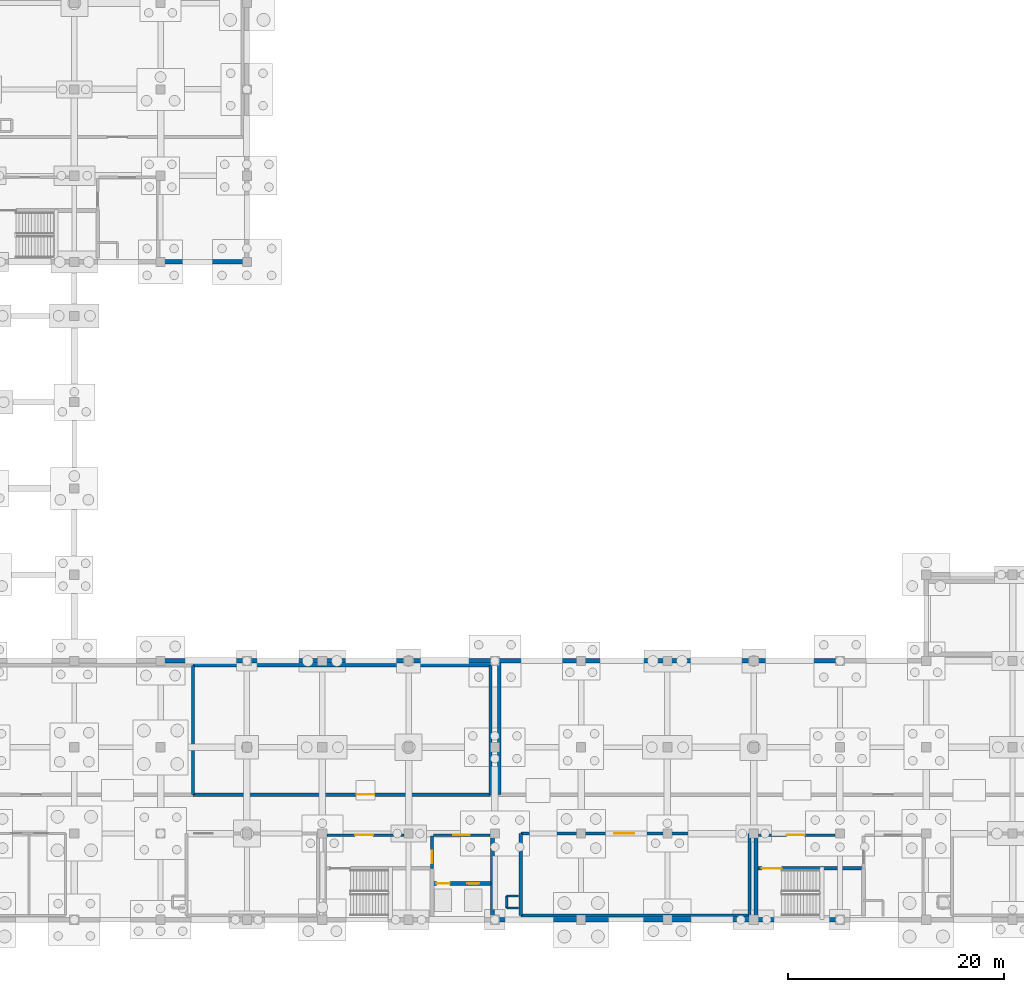
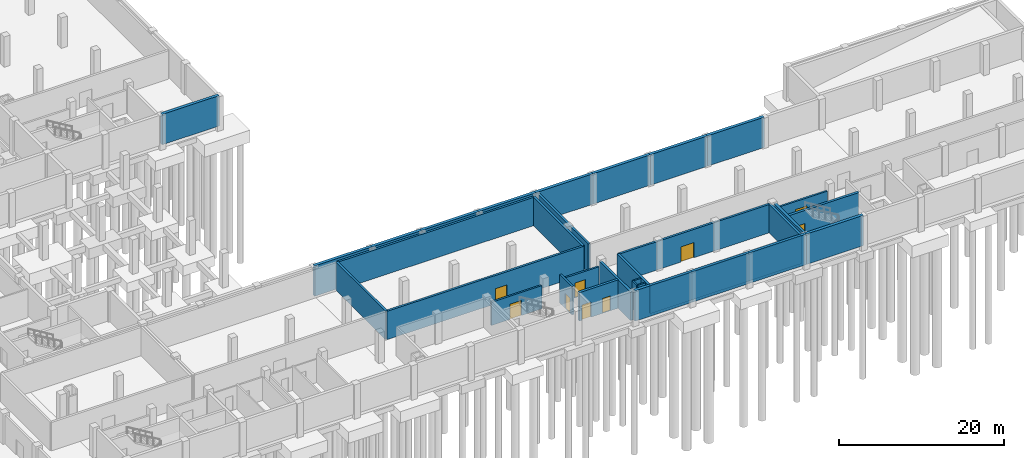
# One storey, part 15 of 26: 33 walls, 9 doors, 9 openings.
"""IFC4 building model written with IfcOpenShell, lengths in metres."""

from ifc_helpers import new_model, si_unit, direction, frame, frame_2d, origin, place, context, subcontext, project, spatial, rectangle, extrude, material, layer, layer_set, type_object, element, fill, save


model = new_model("IFC4")

# Units and contexts
model_context = context("Model", 3, precision=1e-05, world=origin(), true_north=direction((0.0, 1.0)))
body_context = subcontext(model_context, "Body", "Model", "MODEL_VIEW")
ifc_project = project(units=[si_unit("LENGTHUNIT", "METRE"), si_unit("AREAUNIT", "SQUARE_METRE"), si_unit("VOLUMEUNIT", "CUBIC_METRE"), si_unit("PLANEANGLEUNIT", "RADIAN"), si_unit("MASSUNIT", "GRAM", prefix="KILO")], contexts=[model_context])

# Site, building, storey
site_placement = place(None, origin())
site = spatial("IfcSite", under=ifc_project, at=site_placement, CompositionType="ELEMENT")
building_placement = place(site_placement, origin())
building = spatial("IfcBuilding", under=site, at=building_placement, Name="Qorikala Patio Media Centre", CompositionType="ELEMENT")
storey_placement = place(building_placement, frame((0.0, 0.0, -4.5)))
storey = spatial("IfcBuildingStorey", under=building, at=storey_placement, Name="B1", CompositionType="ELEMENT", Elevation=-4.5)

# Wall
ifc_material_1 = material(Name="Concrete C35/45", Category="concrete")
ifc_layer_1 = layer(ifc_material_1, 0.300048828125)
ifc_layer_set_1 = layer_set([ifc_layer_1], Name="Concrete C35/45")
wall_type_1 = type_object("IfcWallType", Name="WL-AC-300", PredefinedType="SHEAR", material=ifc_layer_set_1)
wall_1_placement = place(storey_placement, frame((70.0, 14.60009765625, 0.0), z_axis=(0.0, 0.0, 1.0), x_axis=(0.0, 1.0, 0.0)))
element("IfcWall", 1, at=wall_1_placement, inside=storey, type_object=wall_type_1, Name="B1 Interior Wall WINT-B1-VLT3-E", PredefinedType="SHEAR", context=body_context, shape_type="SweptSolid", body=[
    extrude(rectangle(XDim=12.0, YDim=0.300048828125, at=frame_2d((6.0, 0.0))), origin(), (0.0, 0.0, 1.0), 4.199951171875),
])

# Wall, opening, door
wall_2_placement = place(storey_placement, frame((70.0, 14.60009765625, 0.0), z_axis=(0.0, 0.0, 1.0), x_axis=(1.0, 0.0, 0.0)))
wall_2 = element("IfcWall", 2, at=wall_2_placement, inside=storey, type_object=wall_type_1, Name="B1 Interior Wall WINT-B1-PLT1-S", PredefinedType="SHEAR", context=body_context, shape_type="SweptSolid", body=[
    extrude(rectangle(XDim=27.60009765625, YDim=0.300048828125, at=frame_2d((13.800048828125, 0.0))), origin(), (0.0, 0.0, 1.0), 4.199951171875),
])
opening_1_placement = place(wall_2_placement, frame((15.178955078125, 0.0, 0.0)))
opening_1 = element("IfcOpeningElement", 3, at=opening_1_placement, cuts=wall_2, Name="Opening D215", PredefinedType="OPENING", context=body_context, shape_type="SweptSolid", body=[
    extrude(rectangle(XDim=1.64990234375, YDim=2.25, at=frame_2d((0.824951171875, 1.125))), frame((0.0, 0.159912109375, 0.0), z_axis=(0.0, -1.0, 0.0), x_axis=(1.0, 0.0, 0.0)), (0.0, 0.0, 1.0), 0.320068359375),
])
ifc_material_2 = material(Name="Powder-Coated Acoustic Fire Steel", Category="steel")
door_type_1 = type_object("IfcDoorType", Name="DR-FD60-165X225", OperationType="DOUBLE_DOOR_SINGLE_SWING", PredefinedType="DOOR", material=ifc_material_2)
door_1_placement = place(opening_1_placement, origin())
door_1 = element("IfcDoor", 4, at=door_1_placement, inside=storey, type_object=door_type_1, Name="Archive Desiccant and Chiller Plant Room Door 004", OperationType="DOUBLE_DOOR_SINGLE_SWING", OverallHeight=2.25, OverallWidth=1.64990234375, PredefinedType="DOOR", context=body_context, shape_type="SweptSolid", body=[
    extrude(rectangle(XDim=1.64990234375, YDim=2.25, at=frame_2d((0.824951171875, 1.125))), frame((0.0, 0.02490234375, 0.0), z_axis=(0.0, -1.0, 0.0), x_axis=(1.0, 0.0, 0.0)), (0.0, 0.0, 1.0), 0.050048828125),
])
fill(opening_1, door_1)

# Walls
wall_3_placement = place(storey_placement, frame((97.60009765625, 14.60009765625, 0.0), z_axis=(0.0, 0.0, 1.0), x_axis=(0.0, 1.0, 0.0)))
element("IfcWall", 5, at=wall_3_placement, inside=storey, type_object=wall_type_1, Name="B1 Interior Wall WINT-B1-PLT1-E", PredefinedType="SHEAR", context=body_context, shape_type="SweptSolid", body=[
    extrude(rectangle(XDim=12.0, YDim=0.300048828125, at=frame_2d((6.0, 0.0))), origin(), (0.0, 0.0, 1.0), 4.199951171875),
])
wall_4_placement = place(storey_placement, frame((70.0, 26.60009765625, 0.0), z_axis=(0.0, 0.0, 1.0), x_axis=(1.0, 0.0, 0.0)))
element("IfcWall", 6, at=wall_4_placement, inside=storey, type_object=wall_type_1, Name="B1 Interior Wall WINT-B1-PLT1-N", PredefinedType="SHEAR", context=body_context, shape_type="SweptSolid", body=[
    extrude(rectangle(XDim=27.60009765625, YDim=0.300048828125, at=frame_2d((13.800048828125, 0.0))), origin(), (0.0, 0.0, 1.0), 4.199951171875),
])
wall_5_placement = place(storey_placement, frame((100.39990234375, 3.39990234375, 0.0), z_axis=(0.0, 0.0, 1.0), x_axis=(1.0, 0.0, 0.0)))
element("IfcWall", 7, at=wall_5_placement, inside=storey, type_object=wall_type_1, Name="B1 Interior Wall WINT-B1-PWR1-S", PredefinedType="SHEAR", context=body_context, shape_type="SweptSolid", body=[
    extrude(rectangle(XDim=21.2001953125, YDim=0.300048828125, at=frame_2d((10.60009765625, 0.0))), origin(), (0.0, 0.0, 1.0), 4.199951171875),
])
wall_6_placement = place(storey_placement, frame((121.60009765625, 3.39990234375, 0.0), z_axis=(0.0, 0.0, 1.0), x_axis=(0.0, 1.0, 0.0)))
element("IfcWall", 8, at=wall_6_placement, inside=storey, type_object=wall_type_1, Name="B1 Interior Wall WINT-B1-PWR1-E", PredefinedType="SHEAR", context=body_context, shape_type="SweptSolid", body=[
    extrude(rectangle(XDim=7.60009765625, YDim=0.300048828125, at=frame_2d((3.800048828125, 0.0))), origin(), (0.0, 0.0, 1.0), 4.199951171875),
])

# Wall, opening, door
wall_7_placement = place(storey_placement, frame((100.39990234375, 11.0, 0.0), z_axis=(0.0, 0.0, 1.0), x_axis=(1.0, 0.0, 0.0)))
wall_7 = element("IfcWall", 9, at=wall_7_placement, inside=storey, type_object=wall_type_1, Name="B1 Interior Wall WINT-B1-PWR1-N", PredefinedType="SHEAR", context=body_context, shape_type="SweptSolid", body=[
    extrude(rectangle(XDim=21.2001953125, YDim=0.300048828125, at=frame_2d((10.60009765625, 0.0))), origin(), (0.0, 0.0, 1.0), 4.199951171875),
])
opening_2_placement = place(wall_7_placement, frame((8.672119140625, 0.0, 0.0)))
opening_2 = element("IfcOpeningElement", 10, at=opening_2_placement, cuts=wall_7, Name="Opening D225", PredefinedType="OPENING", context=body_context, shape_type="SweptSolid", body=[
    extrude(rectangle(XDim=1.85009765625, YDim=2.25, at=frame_2d((0.925048828125, 1.125))), frame((0.0, 0.159912109375, 0.0), z_axis=(0.0, -1.0, 0.0), x_axis=(1.0, 0.0, 0.0)), (0.0, 0.0, 1.0), 0.320068359375),
])
door_type_2 = type_object("IfcDoorType", Name="DR-FD60-185X225", OperationType="DOUBLE_DOOR_SINGLE_SWING", PredefinedType="DOOR", material=ifc_material_2)
door_2_placement = place(opening_2_placement, origin())
door_2 = element("IfcDoor", 11, at=door_2_placement, inside=storey, type_object=door_type_2, Name="Standby Power Hall Door 014", OperationType="DOUBLE_DOOR_SINGLE_SWING", OverallHeight=2.25, OverallWidth=1.85009765625, PredefinedType="DOOR", context=body_context, shape_type="SweptSolid", body=[
    extrude(rectangle(XDim=1.85009765625, YDim=2.25, at=frame_2d((0.925048828125, 1.125))), frame((0.0, 0.02490234375, 0.0), z_axis=(0.0, -1.0, 0.0), x_axis=(1.0, 0.0, 0.0)), (0.0, 0.0, 1.0), 0.050048828125),
])
fill(opening_2, door_2)

# Walls
wall_8_placement = place(storey_placement, frame((100.39990234375, 3.39990234375, 0.0), z_axis=(0.0, 0.0, 1.0), x_axis=(0.0, 1.0, 0.0)))
element("IfcWall", 12, at=wall_8_placement, inside=storey, type_object=wall_type_1, Name="B1 Interior Wall WINT-B1-PWR1-W", PredefinedType="SHEAR", context=body_context, shape_type="SweptSolid", body=[
    extrude(rectangle(XDim=7.60009765625, YDim=0.300048828125, at=frame_2d((3.800048828125, 0.0))), origin(), (0.0, 0.0, 1.0), 4.199951171875),
])
wall_9_placement = place(storey_placement, frame((98.39990234375, 14.60009765625, 0.0), z_axis=(0.0, 0.0, 1.0), x_axis=(0.0, 1.0, 0.0)))
element("IfcWall", 13, at=wall_9_placement, inside=storey, type_object=wall_type_1, Name="B1 Interior Wall WINT-B1-CPK-W", PredefinedType="SHEAR", context=body_context, shape_type="SweptSolid", body=[
    extrude(rectangle(XDim=12.599853515625, YDim=0.300048828125, at=frame_2d((6.2998046875, 0.0))), origin(), (0.0, 0.0, 1.0), 4.199951171875),
])
ifc_layer_2 = layer(ifc_material_1, 0.35009765625)
ifc_layer_set_2 = layer_set([ifc_layer_2], Name="Concrete C35/45")
wall_type_2 = type_object("IfcWallType", Name="WL-CORE-350", PredefinedType="SHEAR", material=ifc_layer_set_2)
wall_10_placement = place(storey_placement, frame((97.77490234375, 3.199951171875, 0.0), z_axis=(0.0, 0.0, 1.0), x_axis=(0.0, 1.0, 0.0)))
element("IfcWall", 14, at=wall_10_placement, inside=storey, type_object=wall_type_2, Name="B1 Interior Wall CW-B1-C4-EE", PredefinedType="SHEAR", context=body_context, shape_type="SweptSolid", body=[
    extrude(rectangle(XDim=7.60009765625, YDim=0.35009765625, at=frame_2d((3.800048828125, 0.0))), origin(), (0.0, 0.0, 1.0), 4.199951171875),
])

# Wall, openings, doors
wall_11_placement = place(storey_placement, frame((92.175048828125, 6.375, 0.0), z_axis=(0.0, 0.0, 1.0), x_axis=(1.0, 0.0, 0.0)))
wall_11 = element("IfcWall", 15, at=wall_11_placement, inside=storey, type_object=wall_type_2, Name="B1 Interior Wall CW-B1-C4-LFN", PredefinedType="SHEAR", context=body_context, shape_type="SweptSolid", body=[
    extrude(rectangle(XDim=5.474853515625, YDim=0.35009765625, at=frame_2d((2.7373046875, 0.0))), origin(), (0.0, 0.0, 1.0), 4.199951171875),
])
opening_3_placement = place(wall_11_placement, frame((0.39990234375, 0.0, 0.0)))
opening_3 = element("IfcOpeningElement", 16, at=opening_3_placement, cuts=wall_11, Name="Opening LD29", PredefinedType="OPENING", context=body_context, shape_type="SweptSolid", body=[
    extrude(rectangle(XDim=1.25, YDim=2.25, at=frame_2d((0.625, 1.125))), frame((0.0, 0.18505859375, 0.0), z_axis=(0.0, -1.0, 0.0), x_axis=(1.0, 0.0, 0.0)), (0.0, 0.0, 1.0), 0.3701171875),
])
opening_4_placement = place(wall_11_placement, frame((3.27490234375, 0.0, 0.0)))
opening_4 = element("IfcOpeningElement", 17, at=opening_4_placement, cuts=wall_11, Name="Opening LD30", PredefinedType="OPENING", context=body_context, shape_type="SweptSolid", body=[
    extrude(rectangle(XDim=1.10009765625, YDim=2.199951171875, at=frame_2d((0.550048828125, 1.10009765625))), frame((0.0, 0.18505859375, 0.0), z_axis=(0.0, -1.0, 0.0), x_axis=(1.0, 0.0, 0.0)), (0.0, 0.0, 1.0), 0.3701171875),
])
ifc_material_3 = material(Name="Brushed Bronze Stainless Steel", Category="steel")
door_type_3 = type_object("IfcDoorType", Name="DR-LD-110X220", OperationType="DOUBLE_DOOR_SLIDING", PredefinedType="DOOR", material=ifc_material_3)
door_3_placement = place(opening_4_placement, origin())
door_3 = element("IfcDoor", 18, at=door_3_placement, inside=storey, type_object=door_type_3, Name="B1 Lift LP-02 Sliding Landing Door", OperationType="DOUBLE_DOOR_SLIDING", OverallHeight=2.199951171875, OverallWidth=1.10009765625, PredefinedType="DOOR", context=body_context, shape_type="SweptSolid", body=[
    extrude(rectangle(XDim=1.10009765625, YDim=2.199951171875, at=frame_2d((0.550048828125, 1.10009765625))), frame((0.0, 0.02490234375, 0.0), z_axis=(0.0, -1.0, 0.0), x_axis=(1.0, 0.0, 0.0)), (0.0, 0.0, 1.0), 0.050048828125),
])
fill(opening_4, door_3)
door_type_4 = type_object("IfcDoorType", Name="DR-LD-125X225", OperationType="DOUBLE_DOOR_SLIDING", PredefinedType="DOOR", material=ifc_material_3)
door_4_placement = place(opening_3_placement, origin())
door_4 = element("IfcDoor", 19, at=door_4_placement, inside=storey, type_object=door_type_4, Name="B1 Lift LP-01 Sliding Landing Door", OperationType="DOUBLE_DOOR_SLIDING", OverallHeight=2.25, OverallWidth=1.25, PredefinedType="DOOR", context=body_context, shape_type="SweptSolid", body=[
    extrude(rectangle(XDim=1.25, YDim=2.25, at=frame_2d((0.625, 1.125))), frame((0.0, 0.02490234375, 0.0), z_axis=(0.0, -1.0, 0.0), x_axis=(1.0, 0.0, 0.0)), (0.0, 0.0, 1.0), 0.050048828125),
])
fill(opening_3, door_4)

# Wall
wall_12_placement = place(storey_placement, frame((122.22509765625, 3.199951171875, 0.0), z_axis=(0.0, 0.0, 1.0), x_axis=(0.0, 1.0, 0.0)))
element("IfcWall", 20, at=wall_12_placement, inside=storey, type_object=wall_type_2, Name="B1 Interior Wall CW-B1-C7-SW", PredefinedType="SHEAR", context=body_context, shape_type="SweptSolid", body=[
    extrude(rectangle(XDim=7.60009765625, YDim=0.35009765625, at=frame_2d((3.800048828125, 0.0))), origin(), (0.0, 0.0, 1.0), 4.199951171875),
])

# Wall, opening, door
wall_13_placement = place(storey_placement, frame((122.35009765625, 7.77490234375, 0.0), z_axis=(0.0, 0.0, 1.0), x_axis=(1.0, 0.0, 0.0)))
wall_13 = element("IfcWall", 21, at=wall_13_placement, inside=storey, type_object=wall_type_2, Name="B1 Interior Wall CW-B1-C7-SN", PredefinedType="SHEAR", context=body_context, shape_type="SweptSolid", body=[
    extrude(rectangle(XDim=9.824951171875, YDim=0.35009765625, at=frame_2d((4.91259765625, 0.0))), origin(), (0.0, 0.0, 1.0), 4.199951171875),
])
opening_5_placement = place(wall_13_placement, frame((0.39990234375, 0.0, 0.0)))
opening_5 = element("IfcOpeningElement", 22, at=opening_5_placement, cuts=wall_13, Name="Opening D196", PredefinedType="OPENING", context=body_context, shape_type="SweptSolid", body=[
    extrude(rectangle(XDim=1.85009765625, YDim=2.25, at=frame_2d((0.925048828125, 1.125))), frame((0.0, 0.18505859375, 0.0), z_axis=(0.0, -1.0, 0.0), x_axis=(1.0, 0.0, 0.0)), (0.0, 0.0, 1.0), 0.3701171875),
])
door_5_placement = place(opening_5_placement, origin())
door_5 = element("IfcDoor", 23, at=door_5_placement, inside=storey, type_object=door_type_2, Name="B1 Stair ST-7 Fire Door", OperationType="DOUBLE_DOOR_SINGLE_SWING", OverallHeight=2.25, OverallWidth=1.85009765625, PredefinedType="DOOR", context=body_context, shape_type="SweptSolid", body=[
    extrude(rectangle(XDim=1.85009765625, YDim=2.25, at=frame_2d((0.925048828125, 1.125))), frame((0.0, 0.02490234375, 0.0), z_axis=(0.0, -1.0, 0.0), x_axis=(1.0, 0.0, 0.0)), (0.0, 0.0, 1.0), 0.050048828125),
])
fill(opening_5, door_5)

ifc_layer_3 = layer(ifc_material_1, 0.25)
ifc_layer_set_3 = layer_set([ifc_layer_3], Name="Concrete C35/45")
wall_type_3 = type_object("IfcWallType", Name="WL-FFL-250", PredefinedType="PARTITIONING", material=ifc_layer_set_3)
wall_14_placement = place(storey_placement, frame((92.175048828125, 7.77490234375, 0.0), z_axis=(0.0, 0.0, 1.0), x_axis=(0.0, 1.0, 0.0)))
wall_14 = element("IfcWall", 24, at=wall_14_placement, inside=storey, type_object=wall_type_3, Name="B1 Interior Wall CW-B1-C4-LBD", PredefinedType="PARTITIONING", context=body_context, shape_type="SweptSolid", body=[
    extrude(rectangle(XDim=2.97509765625, YDim=0.25, at=frame_2d((1.487548828125, 0.0))), origin(), (0.0, 0.0, 1.0), 4.199951171875),
])
opening_6_placement = place(wall_14_placement, frame((0.449951171875, 0.0, 0.0)))
opening_6 = element("IfcOpeningElement", 25, at=opening_6_placement, cuts=wall_14, Name="Opening D120", PredefinedType="OPENING", context=body_context, shape_type="SweptSolid", body=[
    extrude(rectangle(XDim=1.199951171875, YDim=2.199951171875, at=frame_2d((0.60009765625, 1.10009765625))), frame((0.0, 0.135009765625, 0.0), z_axis=(0.0, -1.0, 0.0), x_axis=(1.0, 0.0, 0.0)), (0.0, 0.0, 1.0), 0.27001953125),
])
ifc_material_4 = material(Name="Acoustic Fire Timber and Steel", Category="steel")
door_type_5 = type_object("IfcDoorType", Name="DR-FD60-120X220", OperationType="NOTDEFINED", PredefinedType="DOOR", material=ifc_material_4)
door_6_placement = place(opening_6_placement, origin())
door_6 = element("IfcDoor", 26, at=door_6_placement, inside=storey, type_object=door_type_5, Name="B1 Core C4 Firefighting Lobby Cross Door", OperationType="SINGLE_SWING_LEFT", OverallHeight=2.199951171875, OverallWidth=1.199951171875, PredefinedType="DOOR", context=body_context, shape_type="SweptSolid", body=[
    extrude(rectangle(XDim=1.199951171875, YDim=2.199951171875, at=frame_2d((0.60009765625, 1.10009765625))), frame((0.0, 0.02490234375, 0.0), z_axis=(0.0, -1.0, 0.0), x_axis=(1.0, 0.0, 0.0)), (0.0, 0.0, 1.0), 0.050048828125),
])
fill(opening_6, door_6)

wall_15_placement = place(storey_placement, frame((82.449951171875, 10.85009765625, 0.0), z_axis=(0.0, 0.0, 1.0), x_axis=(1.0, 0.0, 0.0)))
wall_15 = element("IfcWall", 27, at=wall_15_placement, inside=storey, type_object=wall_type_3, Name="B1 Interior Wall CW-B1-C4-CN1", PredefinedType="PARTITIONING", context=body_context, shape_type="SweptSolid", body=[
    extrude(rectangle(XDim=7.10009765625, YDim=0.25, at=frame_2d((3.550048828125, 0.0))), origin(), (0.0, 0.0, 1.0), 3.43505859375),
])
opening_7_placement = place(wall_15_placement, frame((2.60009765625, 0.0, 0.0)))
opening_7 = element("IfcOpeningElement", 28, at=opening_7_placement, cuts=wall_15, Name="Opening D121", PredefinedType="OPENING", context=body_context, shape_type="SweptSolid", body=[
    extrude(rectangle(XDim=1.64990234375, YDim=2.25, at=frame_2d((0.824951171875, 1.125))), frame((0.0, 0.135009765625, 0.0), z_axis=(0.0, -1.0, 0.0), x_axis=(1.0, 0.0, 0.0)), (0.0, 0.0, 1.0), 0.27001953125),
])
door_7_placement = place(opening_7_placement, frame((1.64990234375, 0.0, 0.0), z_axis=(0.0, 0.0, 1.0), x_axis=(-1.0, 0.0, 0.0)))
door_7 = element("IfcDoor", 29, at=door_7_placement, inside=storey, type_object=door_type_1, Name="B1 Core C4 Vestibule Door", OperationType="DOUBLE_DOOR_SINGLE_SWING", OverallHeight=2.25, OverallWidth=1.64990234375, PredefinedType="DOOR", context=body_context, shape_type="SweptSolid", body=[
    extrude(rectangle(XDim=1.64990234375, YDim=2.25, at=frame_2d((0.824951171875, 1.125))), frame((0.0, 0.02490234375, 0.0), z_axis=(0.0, -1.0, 0.0), x_axis=(1.0, 0.0, 0.0)), (0.0, 0.0, 1.0), 0.050048828125),
])
fill(opening_7, door_7)

wall_16_placement = place(storey_placement, frame((92.300048828125, 10.85009765625, 0.0), z_axis=(0.0, 0.0, 1.0), x_axis=(1.0, 0.0, 0.0)))
wall_16 = element("IfcWall", 30, at=wall_16_placement, inside=storey, type_object=wall_type_3, Name="B1 Interior Wall CW-B1-C4-CN2", PredefinedType="PARTITIONING", context=body_context, shape_type="SweptSolid", body=[
    extrude(rectangle(XDim=5.25, YDim=0.25, at=frame_2d((2.625, 0.0))), origin(), (0.0, 0.0, 1.0), 3.43505859375),
])
opening_8_placement = place(wall_16_placement, frame((1.85009765625, 0.0, 0.0)))
opening_8 = element("IfcOpeningElement", 31, at=opening_8_placement, cuts=wall_16, Name="Opening D122", PredefinedType="OPENING", context=body_context, shape_type="SweptSolid", body=[
    extrude(rectangle(XDim=1.5, YDim=2.199951171875, at=frame_2d((0.75, 1.10009765625))), frame((0.0, 0.135009765625, 0.0), z_axis=(0.0, -1.0, 0.0), x_axis=(1.0, 0.0, 0.0)), (0.0, 0.0, 1.0), 0.27001953125),
])
door_type_6 = type_object("IfcDoorType", Name="DR-FD60-150X220", OperationType="DOUBLE_DOOR_SINGLE_SWING", PredefinedType="DOOR", material=ifc_material_2)
door_8_placement = place(opening_8_placement, origin())
door_8 = element("IfcDoor", 32, at=door_8_placement, inside=storey, type_object=door_type_6, Name="B1 Core C4 Firefighting Lobby Door", OperationType="DOUBLE_DOOR_SINGLE_SWING", OverallHeight=2.199951171875, OverallWidth=1.5, PredefinedType="DOOR", context=body_context, shape_type="SweptSolid", body=[
    extrude(rectangle(XDim=1.5, YDim=2.199951171875, at=frame_2d((0.75, 1.10009765625))), frame((0.0, 0.02490234375, 0.0), z_axis=(0.0, -1.0, 0.0), x_axis=(1.0, 0.0, 0.0)), (0.0, 0.0, 1.0), 0.050048828125),
])
fill(opening_8, door_8)

wall_17_placement = place(storey_placement, frame((122.449951171875, 10.85009765625, 0.0), z_axis=(0.0, 0.0, 1.0), x_axis=(1.0, 0.0, 0.0)))
wall_17 = element("IfcWall", 33, at=wall_17_placement, inside=storey, type_object=wall_type_3, Name="B1 Interior Wall CW-B1-C7-CN1", PredefinedType="PARTITIONING", context=body_context, shape_type="SweptSolid", body=[
    extrude(rectangle(XDim=7.10009765625, YDim=0.25, at=frame_2d((3.550048828125, 0.0))), origin(), (0.0, 0.0, 1.0), 3.43505859375),
])
opening_9_placement = place(wall_17_placement, frame((2.60009765625, 0.0, 0.0)))
opening_9 = element("IfcOpeningElement", 34, at=opening_9_placement, cuts=wall_17, Name="Opening D198", PredefinedType="OPENING", context=body_context, shape_type="SweptSolid", body=[
    extrude(rectangle(XDim=1.64990234375, YDim=2.25, at=frame_2d((0.824951171875, 1.125))), frame((0.0, 0.135009765625, 0.0), z_axis=(0.0, -1.0, 0.0), x_axis=(1.0, 0.0, 0.0)), (0.0, 0.0, 1.0), 0.27001953125),
])
door_9_placement = place(opening_9_placement, frame((1.64990234375, 0.0, 0.0), z_axis=(0.0, 0.0, 1.0), x_axis=(-1.0, 0.0, 0.0)))
door_9 = element("IfcDoor", 35, at=door_9_placement, inside=storey, type_object=door_type_1, Name="B1 Core C7 Vestibule Door", OperationType="DOUBLE_DOOR_SINGLE_SWING", OverallHeight=2.25, OverallWidth=1.64990234375, PredefinedType="DOOR", context=body_context, shape_type="SweptSolid", body=[
    extrude(rectangle(XDim=1.64990234375, YDim=2.25, at=frame_2d((0.824951171875, 1.125))), frame((0.0, 0.02490234375, 0.0), z_axis=(0.0, -1.0, 0.0), x_axis=(1.0, 0.0, 0.0)), (0.0, 0.0, 1.0), 0.050048828125),
])
fill(opening_9, door_9)

# Walls
ifc_material_5 = material(Name="Concrete C30/37", Category="concrete")
ifc_layer_4 = layer(ifc_material_5, 0.419921875)
ifc_layer_set_4 = layer_set([ifc_layer_4], Name="Concrete C30/37")
wall_type_4 = type_object("IfcWallType", Name="WL-RET-420", PredefinedType="USERDEFINED", material=ifc_layer_set_4)
for number, where, z_axis, x_axis, name in (
    (36, (98.0, 27.0, 0.0), (0.0, 0.0, 1.0), (1.0, 0.0, 0.0), "B1 Perimeter Retaining Wall WL-B1-RET-001"),
    (37, (106.0, 27.0, 0.0), (0.0, 0.0, 1.0), (1.0, 0.0, 0.0), "B1 Perimeter Retaining Wall WL-B1-RET-002"),
    (38, (114.0, 27.0, 0.0), (0.0, 0.0, 1.0), (1.0, 0.0, 0.0), "B1 Perimeter Retaining Wall WL-B1-RET-003"),
    (39, (122.0, 27.0, 0.0), (0.0, 0.0, 1.0), (1.0, 0.0, 0.0), "B1 Perimeter Retaining Wall WL-B1-RET-004"),
    (40, (130.0, 3.0, 0.0), (0.0, 0.0, 1.0), (-1.0, 0.0, 0.0), "B1 Perimeter Retaining Wall WL-B1-RET-020"),
    (41, (122.0, 3.0, 0.0), (0.0, 0.0, 1.0), (-1.0, 0.0, 0.0), "B1 Perimeter Retaining Wall WL-B1-RET-021"),
    (42, (114.0, 3.0, 0.0), (0.0, 0.0, 1.0), (-1.0, 0.0, 0.0), "B1 Perimeter Retaining Wall WL-B1-RET-022"),
    (43, (106.0, 3.0, 0.0), (0.0, 0.0, 1.0), (-1.0, 0.0, 0.0), "B1 Perimeter Retaining Wall WL-B1-RET-023"),
    (44, (67.0, 27.0, 0.0), (0.0, 0.0, 1.0), (1.0, 0.0, 0.0), "B1 Perimeter Retaining Wall WL-B1-RET-075"),
):
    element("IfcWall", number, at=place(storey_placement, frame(where, z_axis=z_axis, x_axis=x_axis)), inside=storey, type_object=wall_type_4, Name=name, ObjectType="RETAINING WALL", PredefinedType="USERDEFINED", context=body_context, shape_type="SweptSolid", body=[
        extrude(rectangle(XDim=8.0, YDim=0.419921875, at=frame_2d((4.0, 0.0))), origin(), (0.0, 0.0, 1.0), 4.5),
    ])
wall_18_placement = place(storey_placement, frame((75.0, 27.0, 0.0), z_axis=(0.0, 0.0, 1.0), x_axis=(1.0, 0.0, 0.0)))
element("IfcWall", 45, at=wall_18_placement, inside=storey, type_object=wall_type_4, Name="B1 Perimeter Retaining Wall WL-B1-RET-076", ObjectType="RETAINING WALL", PredefinedType="USERDEFINED", context=body_context, shape_type="SweptSolid", body=[
    extrude(rectangle(XDim=7.0, YDim=0.419921875, at=frame_2d((3.5, 0.0))), origin(), (0.0, 0.0, 1.0), 4.5),
])
for number, where, z_axis, x_axis, name in (
    (46, (82.0, 27.0, 0.0), (0.0, 0.0, 1.0), (1.0, 0.0, 0.0), "B1 Perimeter Retaining Wall WL-B1-RET-077"),
    (47, (90.0, 27.0, 0.0), (0.0, 0.0, 1.0), (1.0, 0.0, 0.0), "B1 Perimeter Retaining Wall WL-B1-RET-078"),
    (48, (75.0, 64.0, 0.0), (0.0, 0.0, 1.0), (-1.0, 0.0, 0.0), "B1 Perimeter Retaining Wall WL-B1-RET-079"),
):
    element("IfcWall", number, at=place(storey_placement, frame(where, z_axis=z_axis, x_axis=x_axis)), inside=storey, type_object=wall_type_4, Name=name, ObjectType="RETAINING WALL", PredefinedType="USERDEFINED", context=body_context, shape_type="SweptSolid", body=[
        extrude(rectangle(XDim=8.0, YDim=0.419921875, at=frame_2d((4.0, 0.0))), origin(), (0.0, 0.0, 1.0), 4.5),
    ])
ifc_material_6 = material(Name="Acoustic Masonry and Plaster Concrete C30/37", Category="masonry")
ifc_layer_5 = layer(ifc_material_6, 0.199951171875)
ifc_layer_set_5 = layer_set([ifc_layer_5], Name="Acoustic Masonry and Plaster Concrete C30/37")
wall_type_5 = type_object("IfcWallType", Name="WL-ST-200", PredefinedType="PARTITIONING", material=ifc_layer_set_5)
for number, where, z_axis, x_axis, name in (
    (49, (99.10009765625, 4.10009765625, 0.0), (0.0, 0.0, 1.0), (1.0, 0.0, 0.0), "B1 Interior Wall RSW-8-B1-S"),
    (50, (99.10009765625, 5.199951171875, 0.0), (0.0, 0.0, 1.0), (1.0, 0.0, 0.0), "B1 Interior Wall RSW-8-B1-N"),
    (51, (99.10009765625, 4.10009765625, 0.0), (0.0, 0.0, 1.0), (0.0, 1.0, 0.0), "B1 Interior Wall RSW-8-B1-W"),
):
    element("IfcWall", number, at=place(storey_placement, frame(where, z_axis=z_axis, x_axis=x_axis)), inside=storey, type_object=wall_type_5, Name=name, PredefinedType="PARTITIONING", context=body_context, shape_type="SweptSolid", body=[
        extrude(rectangle(XDim=1.099853515625, YDim=0.199951171875, at=frame_2d((0.5498046875, 0.0))), origin(), (0.0, 0.0, 1.0), 4.199951171875),
    ])

save(model, "model.ifc")
